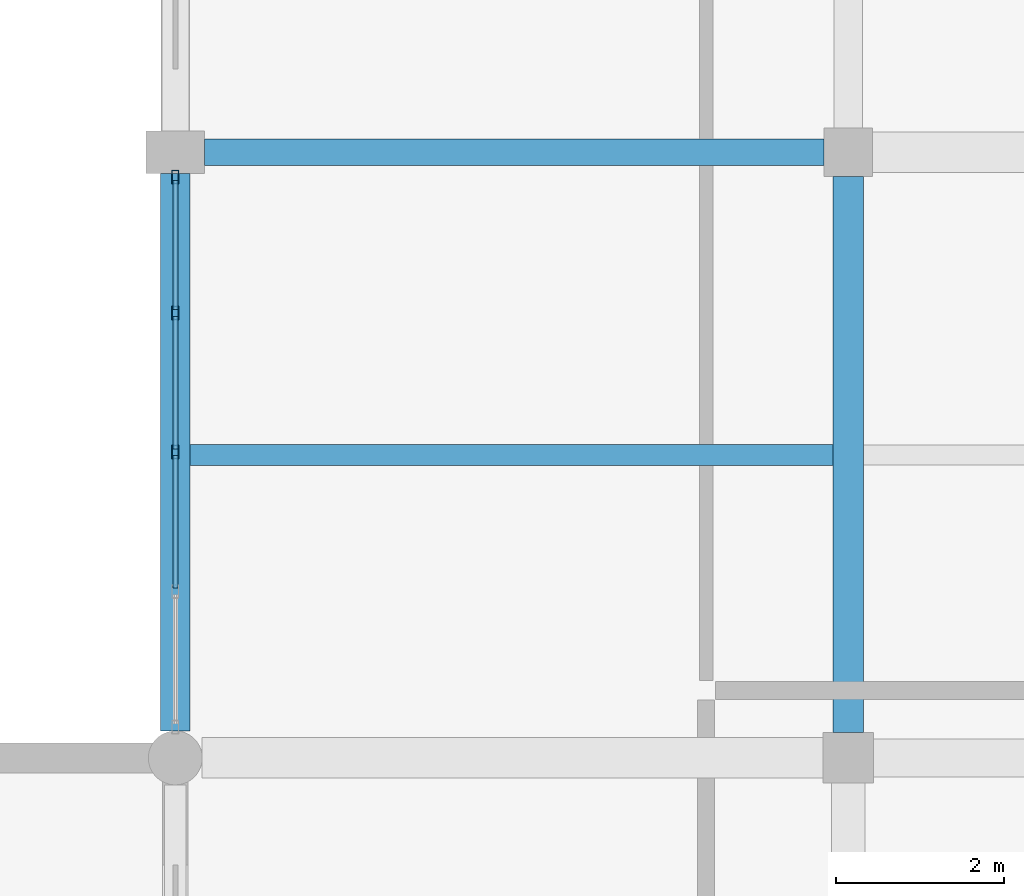
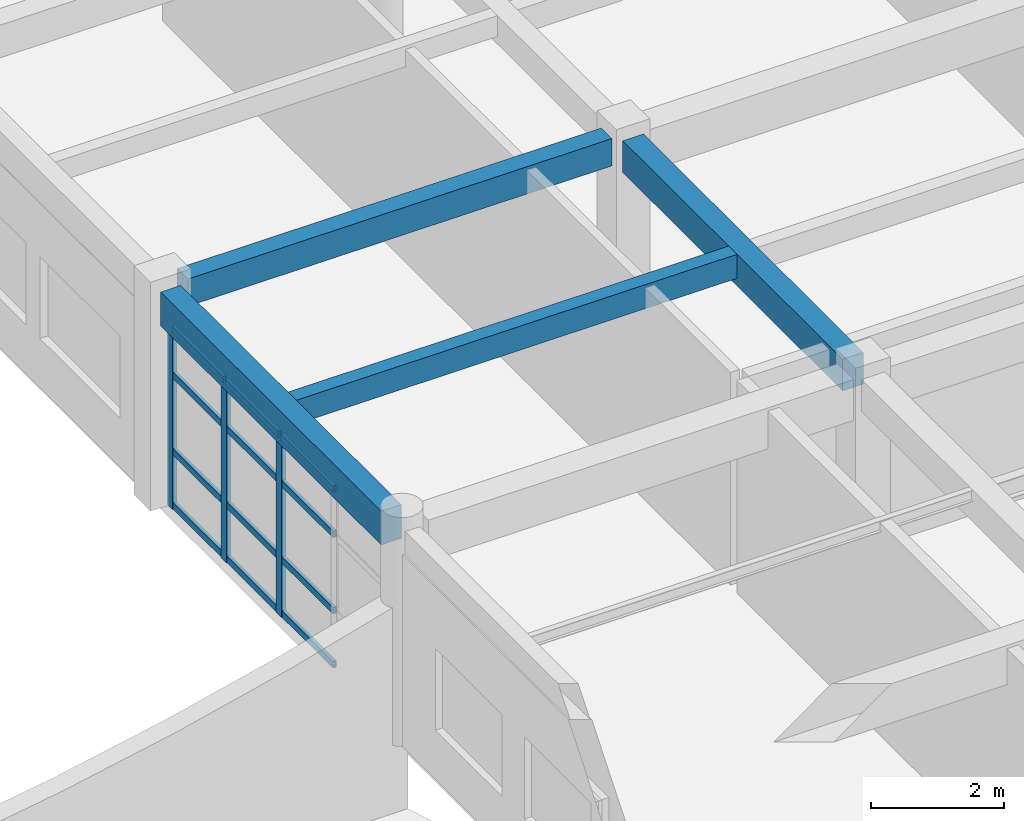
# One storey, part 54 of 121: 15 members, 4 beams, 1 element without a shape of its own.
"""IFC4 building model written with IfcOpenShell, lengths in metres."""

from ifc_helpers import new_model, si_unit, direction, frame, origin, origin_2d, place, context, subcontext, project, spatial, rectangle, hollow_rectangle, extrude, material, material_profile, profile_set, type_object, element, aggregate, save


model = new_model("IFC4")

# Units and contexts
model_context = context("Model", 3, precision=1e-05, world=origin(), true_north=direction((0.0, 1.0)))
body_context = subcontext(model_context, "Body", "Model", "MODEL_VIEW")
ifc_project = project(units=[si_unit("LENGTHUNIT", "METRE"), si_unit("AREAUNIT", "SQUARE_METRE"), si_unit("VOLUMEUNIT", "CUBIC_METRE"), si_unit("PLANEANGLEUNIT", "RADIAN"), si_unit("MASSUNIT", "GRAM", prefix="KILO")], contexts=[model_context])

# Site, building, storey
site_placement = place(None, origin())
site = spatial("IfcSite", under=ifc_project, at=site_placement, CompositionType="ELEMENT")
building_placement = place(site_placement, origin())
building = spatial("IfcBuilding", under=site, at=building_placement, Name="Kharva Crest Polytechnic", CompositionType="ELEMENT")
storey_placement = place(building_placement, frame((0.0, 0.0, 13.199951171875)))
storey = spatial("IfcBuildingStorey", under=building, at=storey_placement, Name="L03", CompositionType="ELEMENT", Elevation=13.199951171875)

# Beams
ifc_material_1 = material(Name="Concrete C35/45", Category="concrete")
ifc_material_profile_1 = material_profile(ifc_material_1, rectangle(XDim=0.320068359375, YDim=0.5, at=origin_2d()), Name="RECT 320 X 500")
ifc_profile_set_1 = profile_set([ifc_material_profile_1], Name="Concrete C35/45")
beam_type_1 = type_object("IfcBeamType", Name="BM-RC-320X500", PredefinedType="BEAM", material=ifc_profile_set_1)
beam_1_placement = place(storey_placement, frame((32.35009765625, 100.39990234375, 3.7099609375), z_axis=(1.0, 0.0, 0.0), x_axis=(0.0, 1.0, 0.0)))
element("IfcBeam", 1, at=beam_1_placement, inside=storey, type_object=beam_type_1, Name="L03 Beam P/5-6", PredefinedType="BEAM", context=body_context, shape_type="SweptSolid", body=[
    extrude(rectangle(XDim=0.320068359375, YDim=0.5, at=origin_2d()), origin(), (0.0, 0.0, 1.0), 7.35986328125),
])
ifc_material_profile_2 = material_profile(ifc_material_1, rectangle(XDim=0.360107421875, YDim=0.580078125, at=origin_2d()), Name="RECT 360 X 580")
ifc_profile_set_2 = profile_set([ifc_material_profile_2], Name="Concrete C35/45")
beam_type_2 = type_object("IfcBeamType", Name="BM-RC-360X580", PredefinedType="BEAM", material=ifc_profile_set_2)
beam_2_placement = place(storey_placement, frame((40.0, 93.5, 3.670166015625), z_axis=(0.0, 1.0, 0.0), x_axis=(-1.0, 0.0, 0.0)))
element("IfcBeam", 2, at=beam_2_placement, inside=storey, type_object=beam_type_2, Name="L03 Girder 6/N-P", PredefinedType="BEAM", context=body_context, shape_type="SweptSolid", body=[
    extrude(rectangle(XDim=0.360107421875, YDim=0.580078125, at=origin_2d()), origin(), (0.0, 0.0, 1.0), 6.610107421875),
])

# Curtain wall, members
ifc_material_2 = material(Name="Tempered insulated glass", Category="glass")
curtain_wall_type = type_object("IfcCurtainWallType", Name="CW-SYS-COURT", PredefinedType="USERDEFINED", material=ifc_material_2)
curtain_wall_placement = place(storey_placement, origin())
curtain_wall = element("IfcCurtainWall", 3, at=curtain_wall_placement, inside=storey, type_object=curtain_wall_type, Name="L03 Glazed Curtain Wall CW-165", ObjectType="CURTAIN WALL", PredefinedType="USERDEFINED")
ifc_material_3 = material(Name="Steel S355", Category="steel")
ifc_material_profile_3 = material_profile(ifc_material_3, hollow_rectangle(XDim=0.080078125, YDim=0.159912109375, WallThickness=0.0048828125, at=origin_2d()), Name="RHS 160X80X5.0")
ifc_profile_set_3 = profile_set([ifc_material_profile_3], Name="Steel S355")
member_type_1 = type_object("IfcMemberType", Name="CWM-RHS160X80", PredefinedType="MULLION", material=ifc_profile_set_3)
member_1_placement = place(storey_placement, frame((32.0, 100.10498046875, 0.0), z_axis=(0.0, 0.0, 1.0), x_axis=(1.0, 0.0, 0.0)))
member_1 = element("IfcMember", 4, at=member_1_placement, type_object=member_type_1, Name="CW-165 mullion 1", PredefinedType="MULLION", context=body_context, shape_type="SweptSolid", body=[
    extrude(hollow_rectangle(XDim=0.080078125, YDim=0.159912109375, WallThickness=0.0048828125, at=origin_2d()), origin(), (0.0, 0.0, 1.0), 3.340087890625),
])
member_2_placement = place(storey_placement, frame((32.0, 98.489990234375, 0.0), z_axis=(0.0, 0.0, 1.0), x_axis=(1.0, 0.0, 0.0)))
member_2 = element("IfcMember", 5, at=member_2_placement, type_object=member_type_1, Name="CW-165 mullion 2", PredefinedType="MULLION", context=body_context, shape_type="SweptSolid", body=[
    extrude(hollow_rectangle(XDim=0.080078125, YDim=0.159912109375, WallThickness=0.0048828125, at=origin_2d()), origin(), (0.0, 0.0, 1.0), 3.340087890625),
])
member_3_placement = place(storey_placement, frame((32.0, 96.8349609375, 0.0), z_axis=(0.0, 0.0, 1.0), x_axis=(1.0, 0.0, 0.0)))
member_3 = element("IfcMember", 6, at=member_3_placement, type_object=member_type_1, Name="CW-165 mullion 3", PredefinedType="MULLION", context=body_context, shape_type="SweptSolid", body=[
    extrude(hollow_rectangle(XDim=0.080078125, YDim=0.159912109375, WallThickness=0.0048828125, at=origin_2d()), origin(), (0.0, 0.0, 1.0), 3.340087890625),
])
ifc_material_profile_4 = material_profile(ifc_material_3, hollow_rectangle(XDim=0.06005859375, YDim=0.1201171875, WallThickness=0.00390625, at=origin_2d()), Name="RHS 120X60X4.0")
ifc_profile_set_4 = profile_set([ifc_material_profile_4], Name="Steel S355")
member_type_2 = type_object("IfcMemberType", Name="CWT-RHS120X60", PredefinedType="USERDEFINED", material=ifc_profile_set_4)
member_4_placement = place(storey_placement, frame((32.0, 100.06494140625, 0.06005859375), z_axis=(0.0, -1.0, 0.0), x_axis=(1.0, 0.0, 0.0)))
member_4 = element("IfcMember", 7, at=member_4_placement, type_object=member_type_2, Name="CW-165 transom 1.1", ObjectType="TRANSOM", PredefinedType="USERDEFINED", context=body_context, shape_type="SweptSolid", body=[
    extrude(hollow_rectangle(XDim=0.06005859375, YDim=0.1201171875, WallThickness=0.00390625, at=origin_2d()), origin(), (0.0, 0.0, 1.0), 1.534912109375),
])
member_5_placement = place(storey_placement, frame((32.0, 100.06494140625, 1.050048828125), z_axis=(0.0, -1.0, 0.0), x_axis=(1.0, 0.0, 0.0)))
member_5 = element("IfcMember", 8, at=member_5_placement, type_object=member_type_2, Name="CW-165 transom 1.2", ObjectType="TRANSOM", PredefinedType="USERDEFINED", context=body_context, shape_type="SweptSolid", body=[
    extrude(hollow_rectangle(XDim=0.06005859375, YDim=0.1201171875, WallThickness=0.00390625, at=origin_2d()), origin(), (0.0, 0.0, 1.0), 1.534912109375),
])
member_6_placement = place(storey_placement, frame((32.0, 100.06494140625, 2.449951171875), z_axis=(0.0, -1.0, 0.0), x_axis=(1.0, 0.0, 0.0)))
member_6 = element("IfcMember", 9, at=member_6_placement, type_object=member_type_2, Name="CW-165 transom 1.3", ObjectType="TRANSOM", PredefinedType="USERDEFINED", context=body_context, shape_type="SweptSolid", body=[
    extrude(hollow_rectangle(XDim=0.06005859375, YDim=0.1201171875, WallThickness=0.00390625, at=origin_2d()), origin(), (0.0, 0.0, 1.0), 1.534912109375),
])
member_7_placement = place(storey_placement, frame((32.0, 100.06494140625, 3.280029296875), z_axis=(0.0, -1.0, 0.0), x_axis=(1.0, 0.0, 0.0)))
member_7 = element("IfcMember", 10, at=member_7_placement, type_object=member_type_2, Name="CW-165 transom 1.4", ObjectType="TRANSOM", PredefinedType="USERDEFINED", context=body_context, shape_type="SweptSolid", body=[
    extrude(hollow_rectangle(XDim=0.06005859375, YDim=0.1201171875, WallThickness=0.00390625, at=origin_2d()), origin(), (0.0, 0.0, 1.0), 1.534912109375),
])
member_8_placement = place(storey_placement, frame((32.0, 98.449951171875, 0.06005859375), z_axis=(0.0, -1.0, 0.0), x_axis=(1.0, 0.0, 0.0)))
member_8 = element("IfcMember", 11, at=member_8_placement, type_object=member_type_2, Name="CW-165 transom 2.1", ObjectType="TRANSOM", PredefinedType="USERDEFINED", context=body_context, shape_type="SweptSolid", body=[
    extrude(hollow_rectangle(XDim=0.06005859375, YDim=0.1201171875, WallThickness=0.00390625, at=origin_2d()), origin(), (0.0, 0.0, 1.0), 1.574951171875),
])
member_9_placement = place(storey_placement, frame((32.0, 98.449951171875, 1.050048828125), z_axis=(0.0, -1.0, 0.0), x_axis=(1.0, 0.0, 0.0)))
member_9 = element("IfcMember", 12, at=member_9_placement, type_object=member_type_2, Name="CW-165 transom 2.2", ObjectType="TRANSOM", PredefinedType="USERDEFINED", context=body_context, shape_type="SweptSolid", body=[
    extrude(hollow_rectangle(XDim=0.06005859375, YDim=0.1201171875, WallThickness=0.00390625, at=origin_2d()), origin(), (0.0, 0.0, 1.0), 1.574951171875),
])
member_10_placement = place(storey_placement, frame((32.0, 98.449951171875, 2.449951171875), z_axis=(0.0, -1.0, 0.0), x_axis=(1.0, 0.0, 0.0)))
member_10 = element("IfcMember", 13, at=member_10_placement, type_object=member_type_2, Name="CW-165 transom 2.3", ObjectType="TRANSOM", PredefinedType="USERDEFINED", context=body_context, shape_type="SweptSolid", body=[
    extrude(hollow_rectangle(XDim=0.06005859375, YDim=0.1201171875, WallThickness=0.00390625, at=origin_2d()), origin(), (0.0, 0.0, 1.0), 1.574951171875),
])
member_11_placement = place(storey_placement, frame((32.0, 98.449951171875, 3.280029296875), z_axis=(0.0, -1.0, 0.0), x_axis=(1.0, 0.0, 0.0)))
member_11 = element("IfcMember", 14, at=member_11_placement, type_object=member_type_2, Name="CW-165 transom 2.4", ObjectType="TRANSOM", PredefinedType="USERDEFINED", context=body_context, shape_type="SweptSolid", body=[
    extrude(hollow_rectangle(XDim=0.06005859375, YDim=0.1201171875, WallThickness=0.00390625, at=origin_2d()), origin(), (0.0, 0.0, 1.0), 1.574951171875),
])
member_12_placement = place(storey_placement, frame((32.0, 96.794921875, 0.06005859375), z_axis=(0.0, -1.0, 0.0), x_axis=(1.0, 0.0, 0.0)))
member_12 = element("IfcMember", 15, at=member_12_placement, type_object=member_type_2, Name="CW-165 transom 3.1", ObjectType="TRANSOM", PredefinedType="USERDEFINED", context=body_context, shape_type="SweptSolid", body=[
    extrude(hollow_rectangle(XDim=0.06005859375, YDim=0.1201171875, WallThickness=0.00390625, at=origin_2d()), origin(), (0.0, 0.0, 1.0), 1.574951171875),
])
member_13_placement = place(storey_placement, frame((32.0, 96.794921875, 1.050048828125), z_axis=(0.0, -1.0, 0.0), x_axis=(1.0, 0.0, 0.0)))
member_13 = element("IfcMember", 16, at=member_13_placement, type_object=member_type_2, Name="CW-165 transom 3.2", ObjectType="TRANSOM", PredefinedType="USERDEFINED", context=body_context, shape_type="SweptSolid", body=[
    extrude(hollow_rectangle(XDim=0.06005859375, YDim=0.1201171875, WallThickness=0.00390625, at=origin_2d()), origin(), (0.0, 0.0, 1.0), 1.574951171875),
])
member_14_placement = place(storey_placement, frame((32.0, 96.794921875, 2.449951171875), z_axis=(0.0, -1.0, 0.0), x_axis=(1.0, 0.0, 0.0)))
member_14 = element("IfcMember", 17, at=member_14_placement, type_object=member_type_2, Name="CW-165 transom 3.3", ObjectType="TRANSOM", PredefinedType="USERDEFINED", context=body_context, shape_type="SweptSolid", body=[
    extrude(hollow_rectangle(XDim=0.06005859375, YDim=0.1201171875, WallThickness=0.00390625, at=origin_2d()), origin(), (0.0, 0.0, 1.0), 1.574951171875),
])
member_15_placement = place(storey_placement, frame((32.0, 96.794921875, 3.280029296875), z_axis=(0.0, -1.0, 0.0), x_axis=(1.0, 0.0, 0.0)))
member_15 = element("IfcMember", 18, at=member_15_placement, type_object=member_type_2, Name="CW-165 transom 3.4", ObjectType="TRANSOM", PredefinedType="USERDEFINED", context=body_context, shape_type="SweptSolid", body=[
    extrude(hollow_rectangle(XDim=0.06005859375, YDim=0.1201171875, WallThickness=0.00390625, at=origin_2d()), origin(), (0.0, 0.0, 1.0), 1.574951171875),
])
aggregate(curtain_wall, [member_1, member_2, member_3, member_4, member_5, member_6, member_7, member_8, member_9, member_10, member_11, member_12, member_13, member_14, member_15])

# Beams
ifc_material_profile_5 = material_profile(ifc_material_1, rectangle(XDim=0.25, YDim=0.43994140625, at=origin_2d()), Name="RECT 250 X 440")
ifc_profile_set_5 = profile_set([ifc_material_profile_5], Name="Concrete C35/45")
beam_type_3 = type_object("IfcBeamType", Name="JS-RC-250X440", PredefinedType="JOIST", material=ifc_profile_set_5)
beam_3_placement = place(storey_placement, frame((32.175048828125, 96.800048828125, 3.739990234375), z_axis=(1.0, 0.0, 0.0), x_axis=(0.0, 1.0, 0.0)))
element("IfcBeam", 19, at=beam_3_placement, inside=storey, type_object=beam_type_3, Name="L03 Floor Joist 13", PredefinedType="JOIST", context=body_context, shape_type="SweptSolid", body=[
    extrude(rectangle(XDim=0.25, YDim=0.43994140625, at=origin_2d()), origin(), (0.0, 0.0, 1.0), 7.64501953125),
])
ifc_material_profile_6 = material_profile(ifc_material_1, rectangle(XDim=0.35009765625, YDim=0.6201171875, at=origin_2d()), Name="RECT 350 X 620")
ifc_profile_set_6 = profile_set([ifc_material_profile_6], Name="Concrete C35/45")
beam_type_4 = type_object("IfcBeamType", Name="SP-RC-350X620", PredefinedType="SPANDREL", material=ifc_profile_set_6)
beam_4_placement = place(storey_placement, frame((32.0, 93.52001953125, 3.650146484375), z_axis=(0.0, 1.0, 0.0), x_axis=(-1.0, 0.0, 0.0)))
element("IfcBeam", 20, at=beam_4_placement, inside=storey, type_object=beam_type_4, Name="L03 Girder 5/N-P", PredefinedType="SPANDREL", context=body_context, shape_type="SweptSolid", body=[
    extrude(rectangle(XDim=0.35009765625, YDim=0.6201171875, at=origin_2d()), origin(), (0.0, 0.0, 1.0), 6.6298828125),
])

save(model, "model.ifc")
